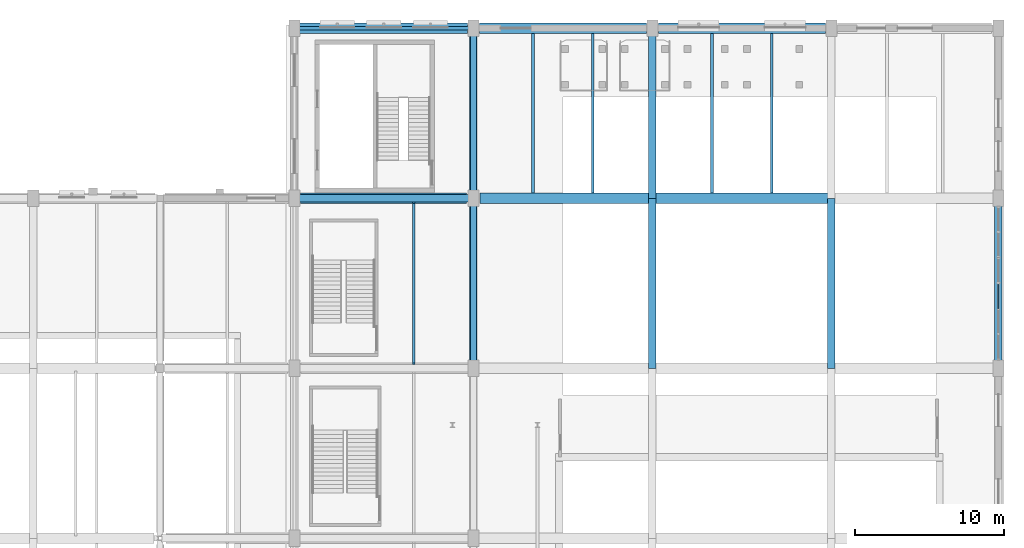
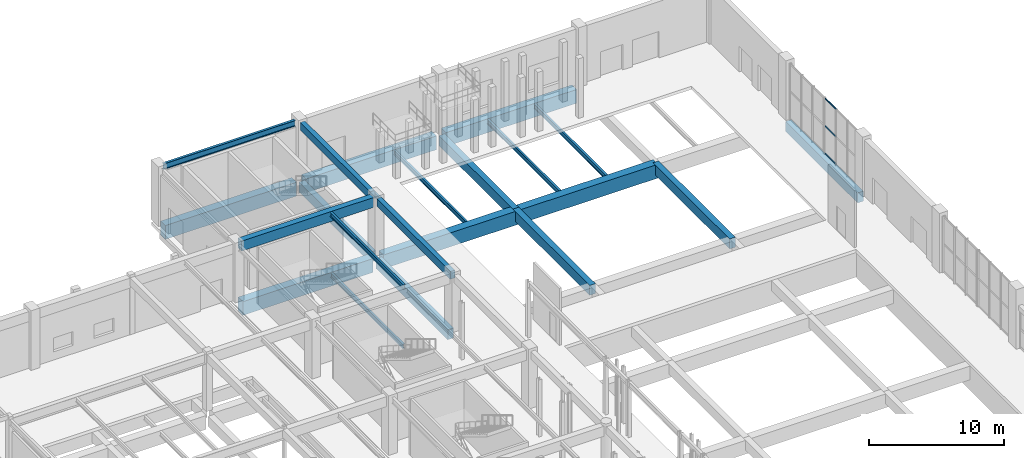
# One storey, part 70 of 113: 22 beams, 3 members, 1 element without a shape of its own.
"""IFC4 building model written with IfcOpenShell, lengths in metres."""

from ifc_helpers import new_model, si_unit, direction, frame, origin, origin_2d, place, context, subcontext, project, spatial, rectangle, hollow_rectangle, i_section, extrude, material, layer, layer_set, material_profile, profile_set, type_object, element, aggregate, save


model = new_model("IFC4")

# Units and contexts
model_context = context("Model", 3, precision=1e-05, world=origin(), true_north=direction((0.0, 1.0)))
body_context = subcontext(model_context, "Body", "Model", "MODEL_VIEW")
ifc_project = project(units=[si_unit("LENGTHUNIT", "METRE"), si_unit("AREAUNIT", "SQUARE_METRE"), si_unit("VOLUMEUNIT", "CUBIC_METRE"), si_unit("PLANEANGLEUNIT", "RADIAN"), si_unit("MASSUNIT", "GRAM", prefix="KILO"), si_unit("POWERUNIT", "WATT"), si_unit("THERMODYNAMICTEMPERATUREUNIT", "KELVIN")], contexts=[model_context])

# Site, building, storey
site_placement = place(None, origin())
site = spatial("IfcSite", under=ifc_project, at=site_placement, CompositionType="ELEMENT")
building_placement = place(site_placement, origin())
building = spatial("IfcBuilding", under=site, at=building_placement, Name="Kelmbourne Parkland Aquatics Centre", CompositionType="ELEMENT")
storey_placement = place(building_placement, origin())
storey = spatial("IfcBuildingStorey", under=building, at=storey_placement, Name="L00", CompositionType="ELEMENT", Elevation=0.0)

# Beams
ifc_material_1 = material(Name="Concrete C40/50", Category="concrete")
ifc_material_profile_1 = material_profile(ifc_material_1, rectangle(XDim=0.5, YDim=0.89990234375, at=origin_2d()), Name="RC 500x900")
ifc_profile_set_1 = profile_set([ifc_material_profile_1], Name="Concrete C40/50")
beam_type_1 = type_object("IfcBeamType", Name="BM-G03", PredefinedType="BEAM", material=ifc_profile_set_1)
beam_1_placement = place(storey_placement, frame((140.0, 92.280029296875, -0.72998046875), z_axis=(0.0, 1.0, 0.0), x_axis=(-1.0, 0.0, 0.0)))
element("IfcBeam", 1, at=beam_1_placement, inside=storey, type_object=beam_type_1, Name="Primary girder 12-13 Grid Q (L00)", PredefinedType="BEAM", context=body_context, shape_type="SweptSolid", body=[
    extrude(rectangle(XDim=0.5, YDim=0.89990234375, at=origin_2d()), origin(), (0.0, 0.0, 1.0), 10.6650390625),
])
beam_2_placement = place(storey_placement, frame((140.0, 103.85498046875, -0.72998046875), z_axis=(0.0, 1.0, 0.0), x_axis=(-1.0, 0.0, 0.0)))
element("IfcBeam", 2, at=beam_2_placement, inside=storey, type_object=beam_type_1, Name="Primary girder 13-14 Grid Q (L00)", PredefinedType="BEAM", context=body_context, shape_type="SweptSolid", body=[
    extrude(rectangle(XDim=0.5, YDim=0.89990234375, at=origin_2d()), origin(), (0.0, 0.0, 1.0), 10.5400390625),
])
beam_3_placement = place(storey_placement, frame((152.0, 92.0, -0.72998046875), z_axis=(0.0, 1.0, 0.0), x_axis=(-1.0, 0.0, 0.0)))
element("IfcBeam", 3, at=beam_3_placement, inside=storey, type_object=beam_type_1, Name="Primary girder 12-13 Grid R (L00)", PredefinedType="BEAM", context=body_context, shape_type="SweptSolid", body=[
    extrude(rectangle(XDim=0.5, YDim=0.89990234375, at=origin_2d()), origin(), (0.0, 0.0, 1.0), 11.39990234375),
])
beam_4_placement = place(storey_placement, frame((152.0, 103.39990234375, -0.72998046875), z_axis=(0.0, 1.0, 0.0), x_axis=(-1.0, 0.0, 0.0)))
element("IfcBeam", 4, at=beam_4_placement, inside=storey, type_object=beam_type_1, Name="Primary girder 13-14 Grid R (L00)", PredefinedType="BEAM", context=body_context, shape_type="SweptSolid", body=[
    extrude(rectangle(XDim=0.5, YDim=0.89990234375, at=origin_2d()), origin(), (0.0, 0.0, 1.0), 10.9951171875),
])
beam_5_placement = place(storey_placement, frame((164.0, 92.0, -0.72998046875), z_axis=(0.0, 1.0, 0.0), x_axis=(-1.0, 0.0, 0.0)))
element("IfcBeam", 5, at=beam_5_placement, inside=storey, type_object=beam_type_1, Name="Primary girder 12-13 Grid S (L00)", PredefinedType="BEAM", context=body_context, shape_type="SweptSolid", body=[
    extrude(rectangle(XDim=0.5, YDim=0.89990234375, at=origin_2d()), origin(), (0.0, 0.0, 1.0), 11.39990234375),
])
beam_6_placement = place(storey_placement, frame((175.199951171875, 92.405029296875, -0.72998046875), z_axis=(0.0, 1.0, 0.0), x_axis=(-1.0, 0.0, 0.0)))
element("IfcBeam", 6, at=beam_6_placement, inside=storey, type_object=beam_type_1, Name="Primary girder 12-13 Grid T (L00)", PredefinedType="BEAM", context=body_context, shape_type="SweptSolid", body=[
    extrude(rectangle(XDim=0.5, YDim=0.89990234375, at=origin_2d()), origin(), (0.0, 0.0, 1.0), 10.715087890625),
])
beam_7_placement = place(storey_placement, frame((128.330078125, 103.39990234375, 4.7099609375), z_axis=(1.0, 0.0, 0.0), x_axis=(0.0, 1.0, 0.0)))
element("IfcBeam", 7, at=beam_7_placement, inside=storey, type_object=beam_type_1, Name="Primary girder P-Q Grid 13 (L01)", PredefinedType="BEAM", context=body_context, shape_type="SweptSolid", body=[
    extrude(rectangle(XDim=0.5, YDim=0.89990234375, at=origin_2d()), origin(), (0.0, 0.0, 1.0), 11.33984375),
])
ifc_material_profile_2 = material_profile(ifc_material_1, rectangle(XDim=0.39990234375, YDim=0.699951171875, at=origin_2d()), Name="RC 400x700")
ifc_profile_set_2 = profile_set([ifc_material_profile_2], Name="Concrete C40/50")
beam_type_2 = type_object("IfcBeamType", Name="BM-G05", PredefinedType="BEAM", material=ifc_profile_set_2)
beam_8_placement = place(storey_placement, frame((140.0, 92.0, 4.81005859375), z_axis=(0.0, 1.0, 0.0), x_axis=(-1.0, 0.0, 0.0)))
element("IfcBeam", 8, at=beam_8_placement, inside=storey, type_object=beam_type_2, Name="Primary girder 12-13 Grid Q (L01)", PredefinedType="BEAM", context=body_context, shape_type="SweptSolid", body=[
    extrude(rectangle(XDim=0.39990234375, YDim=0.699951171875, at=origin_2d()), origin(), (0.0, 0.0, 1.0), 10.89501953125),
])
beam_9_placement = place(storey_placement, frame((140.0, 103.905029296875, 4.81005859375), z_axis=(0.0, 1.0, 0.0), x_axis=(-1.0, 0.0, 0.0)))
element("IfcBeam", 9, at=beam_9_placement, inside=storey, type_object=beam_type_2, Name="Primary girder 13-14 Grid Q (L01)", PredefinedType="BEAM", context=body_context, shape_type="SweptSolid", body=[
    extrude(rectangle(XDim=0.39990234375, YDim=0.699951171875, at=origin_2d()), origin(), (0.0, 0.0, 1.0), 10.389892578125),
])
ifc_material_2 = material(Name="Concrete C50/60", Category="concrete")
ifc_material_profile_3 = material_profile(ifc_material_2, rectangle(XDim=0.699951171875, YDim=1.25, at=origin_2d()), Name="RC 700x1250")
ifc_profile_set_3 = profile_set([ifc_material_profile_3], Name="Concrete C50/60")
beam_type_3 = type_object("IfcBeamType", Name="BM-G08", PredefinedType="BEAM", material=ifc_profile_set_3)
beam_10_placement = place(storey_placement, frame((128.405029296875, 103.39990234375, -0.905029296875), z_axis=(1.0, 0.0, 0.0), x_axis=(0.0, 1.0, 0.0)))
element("IfcBeam", 10, at=beam_10_placement, inside=storey, type_object=beam_type_3, Name="Primary girder P-Q Grid 13 (L00)", PredefinedType="BEAM", context=body_context, shape_type="SweptSolid", body=[
    extrude(rectangle(XDim=0.699951171875, YDim=1.25, at=origin_2d()), origin(), (0.0, 0.0, 1.0), 11.139892578125),
])
beam_11_placement = place(storey_placement, frame((140.455078125, 103.39990234375, -0.905029296875), z_axis=(1.0, 0.0, 0.0), x_axis=(0.0, 1.0, 0.0)))
element("IfcBeam", 11, at=beam_11_placement, inside=storey, type_object=beam_type_3, Name="Primary girder Q-R Grid 13 (L00)", PredefinedType="BEAM", context=body_context, shape_type="SweptSolid", body=[
    extrude(rectangle(XDim=0.699951171875, YDim=1.25, at=origin_2d()), origin(), (0.0, 0.0, 1.0), 11.544921875),
])
beam_12_placement = place(storey_placement, frame((152.0, 103.39990234375, -0.905029296875), z_axis=(1.0, 0.0, 0.0), x_axis=(0.0, 1.0, 0.0)))
element("IfcBeam", 12, at=beam_12_placement, inside=storey, type_object=beam_type_3, Name="Primary girder R-S Grid 13 (L00)", PredefinedType="BEAM", context=body_context, shape_type="SweptSolid", body=[
    extrude(rectangle(XDim=0.699951171875, YDim=1.25, at=origin_2d()), origin(), (0.0, 0.0, 1.0), 12.0),
])
beam_13_placement = place(storey_placement, frame((128.330078125, 114.800048828125, -0.905029296875), z_axis=(1.0, 0.0, 0.0), x_axis=(0.0, 1.0, 0.0)))
element("IfcBeam", 13, at=beam_13_placement, inside=storey, type_object=beam_type_3, Name="Primary girder P-Q Grid 14 (L00)", PredefinedType="BEAM", context=body_context, shape_type="SweptSolid", body=[
    extrude(rectangle(XDim=0.699951171875, YDim=1.25, at=origin_2d()), origin(), (0.0, 0.0, 1.0), 11.264892578125),
])
for number, where, z_axis, x_axis, name in (
    (14, (140.405029296875, 114.800048828125, -0.905029296875), (1.0, 0.0, 0.0), (0.0, 1.0, 0.0), "Primary girder Q-R Grid 14 (L00)"),
    (15, (152.405029296875, 114.800048828125, -0.905029296875), (1.0, 0.0, 0.0), (0.0, 1.0, 0.0), "Primary girder R-S Grid 14 (L00)"),
):
    element("IfcBeam", number, at=place(storey_placement, frame(where, z_axis=z_axis, x_axis=x_axis)), inside=storey, type_object=beam_type_3, Name=name, PredefinedType="BEAM", context=body_context, shape_type="SweptSolid", body=[
        extrude(rectangle(XDim=0.699951171875, YDim=1.25, at=origin_2d()), origin(), (0.0, 0.0, 1.0), 11.18994140625),
    ])
ifc_material_3 = material(Name="Structural steel AS/NZS 3679.1 Grade 300", Category="steel")
ifc_material_profile_4 = material_profile(ifc_material_3, i_section(OverallWidth=0.177978515625, OverallDepth=0.406005859375, WebThickness=0.0078125, FlangeThickness=0.0126953125, at=origin_2d()), Name="410UB59.7")
ifc_profile_set_4 = profile_set([ifc_material_profile_4], Name="Structural steel AS/NZS 3679.1 Grade 300")
beam_type_4 = type_object("IfcBeamType", Name="BM-J01", PredefinedType="JOIST", material=ifc_profile_set_4)
for number, where, z_axis, x_axis, name in (
    (16, (136.0, 92.342041015625, -0.48291015625), (0.0, 1.0, 0.0), (-1.0, 0.0, 0.0), "Secondary floor joist P-Q/12-13 #2 (L00)"),
    (17, (144.0, 103.741943359375, -0.48291015625), (0.0, 1.0, 0.0), (-1.0, 0.0, 0.0), "Secondary floor joist Q-R/13-14 #1 (L00)"),
    (18, (148.0, 103.741943359375, -0.48291015625), (0.0, 1.0, 0.0), (-1.0, 0.0, 0.0), "Secondary floor joist Q-R/13-14 #2 (L00)"),
    (19, (156.0, 103.741943359375, -0.48291015625), (0.0, 1.0, 0.0), (-1.0, 0.0, 0.0), "Secondary floor joist R-S/13-14 #1 (L00)"),
    (20, (160.0, 103.741943359375, -0.48291015625), (0.0, 1.0, 0.0), (-1.0, 0.0, 0.0), "Secondary floor joist R-S/13-14 #2 (L00)"),
):
    element("IfcBeam", number, at=place(storey_placement, frame(where, z_axis=z_axis, x_axis=x_axis)), inside=storey, type_object=beam_type_4, Name=name, PredefinedType="JOIST", context=body_context, shape_type="SweptSolid", body=[
        extrude(i_section(OverallWidth=0.177978515625, OverallDepth=0.406005859375, WebThickness=0.0078125, FlangeThickness=0.0126953125, at=origin_2d()), origin(), (0.0, 0.0, 1.0), 10.716064453125),
    ])
beam_14_placement = place(storey_placement, frame((136.0, 92.241943359375, 4.95703125), z_axis=(0.0, 1.0, 0.0), x_axis=(-1.0, 0.0, 0.0)))
element("IfcBeam", 21, at=beam_14_placement, inside=storey, type_object=beam_type_4, Name="Secondary floor joist P-Q/12-13 #2 (L01)", PredefinedType="JOIST", context=body_context, shape_type="SweptSolid", body=[
    extrude(i_section(OverallWidth=0.177978515625, OverallDepth=0.406005859375, WebThickness=0.0078125, FlangeThickness=0.0126953125, at=origin_2d()), origin(), (0.0, 0.0, 1.0), 10.916015625),
])
ifc_material_profile_5 = material_profile(ifc_material_3, i_section(OverallWidth=0.208984375, OverallDepth=0.532958984375, WebThickness=0.01025390625, FlangeThickness=0.015625, at=origin_2d()), Name="530UB92.4")
ifc_profile_set_5 = profile_set([ifc_material_profile_5], Name="Structural steel AS/NZS 3679.1 Grade 300")
beam_type_5 = type_object("IfcBeamType", Name="BM-SP02", PredefinedType="SPANDREL", material=ifc_profile_set_5)
beam_15_placement = place(storey_placement, frame((128.330078125, 114.800048828125, 4.8935546875), z_axis=(1.0, 0.0, 0.0), x_axis=(0.0, 1.0, 0.0)))
element("IfcBeam", 22, at=beam_15_placement, inside=storey, type_object=beam_type_5, Name="Perimeter spandrel P-Q Grid 14 (L01)", PredefinedType="SPANDREL", context=body_context, shape_type="SweptSolid", body=[
    extrude(i_section(OverallWidth=0.208984375, OverallDepth=0.532958984375, WebThickness=0.01025390625, FlangeThickness=0.015625, at=origin_2d()), origin(), (0.0, 0.0, 1.0), 11.33984375),
])

# Curtain wall, members
ifc_material_4 = material(Name="Thermally broken anodised aluminium framing", Category="aluminium")
ifc_layer = layer(ifc_material_4, 0.179931640625)
ifc_layer_set = layer_set([ifc_layer], Name="Thermally broken anodised aluminium framing")
curtain_wall_type = type_object("IfcCurtainWallType", Name="CW-09", PredefinedType="NOTDEFINED", material=ifc_layer_set)
curtain_wall_placement = place(storey_placement, origin())
curtain_wall = element("IfcCurtainWall", 23, at=curtain_wall_placement, inside=storey, type_object=curtain_wall_type, Name="Facade curtain wall CW-L00-081", PredefinedType="NOTDEFINED")
ifc_material_profile_6 = material_profile(ifc_material_4, hollow_rectangle(XDim=0.06494140625, YDim=0.1201171875, WallThickness=0.00341796875, at=origin_2d()), Name="CW-T 65x120")
ifc_profile_set_6 = profile_set([ifc_material_profile_6], Name="Thermally broken anodised aluminium framing")
member_type = type_object("IfcMemberType", Name="MB-TRN-1", PredefinedType="USERDEFINED", material=ifc_profile_set_6)
member_1_placement = place(storey_placement, frame((175.199951171875, 96.0048828125, 0.06298828125), z_axis=(0.0, 1.0, 0.0), x_axis=(-1.0, 0.0, 0.0)))
member_1 = element("IfcMember", 24, at=member_1_placement, type_object=member_type, Name="CW-L00-081 transom 0-2", ObjectType="TRANSOM", PredefinedType="USERDEFINED", context=body_context, shape_type="SweptSolid", body=[
    extrude(hollow_rectangle(XDim=0.06494140625, YDim=0.1201171875, WallThickness=0.00341796875, at=origin_2d()), origin(), (0.0, 0.0, 1.0), 1.6240234375),
])
member_2_placement = place(storey_placement, frame((175.199951171875, 96.0048828125, 2.550048828125), z_axis=(0.0, 1.0, 0.0), x_axis=(-1.0, 0.0, 0.0)))
member_2 = element("IfcMember", 25, at=member_2_placement, type_object=member_type, Name="CW-L00-081 transom 1-2", ObjectType="TRANSOM", PredefinedType="USERDEFINED", context=body_context, shape_type="SweptSolid", body=[
    extrude(hollow_rectangle(XDim=0.06494140625, YDim=0.1201171875, WallThickness=0.00341796875, at=origin_2d()), origin(), (0.0, 0.0, 1.0), 1.6240234375),
])
member_3_placement = place(storey_placement, frame((175.199951171875, 96.0048828125, 5.037109375), z_axis=(0.0, 1.0, 0.0), x_axis=(-1.0, 0.0, 0.0)))
member_3 = element("IfcMember", 26, at=member_3_placement, type_object=member_type, Name="CW-L00-081 transom 2-2", ObjectType="TRANSOM", PredefinedType="USERDEFINED", context=body_context, shape_type="SweptSolid", body=[
    extrude(hollow_rectangle(XDim=0.06494140625, YDim=0.1201171875, WallThickness=0.00341796875, at=origin_2d()), origin(), (0.0, 0.0, 1.0), 1.6240234375),
])
aggregate(curtain_wall, [member_1, member_2, member_3])

save(model, "model.ifc")
